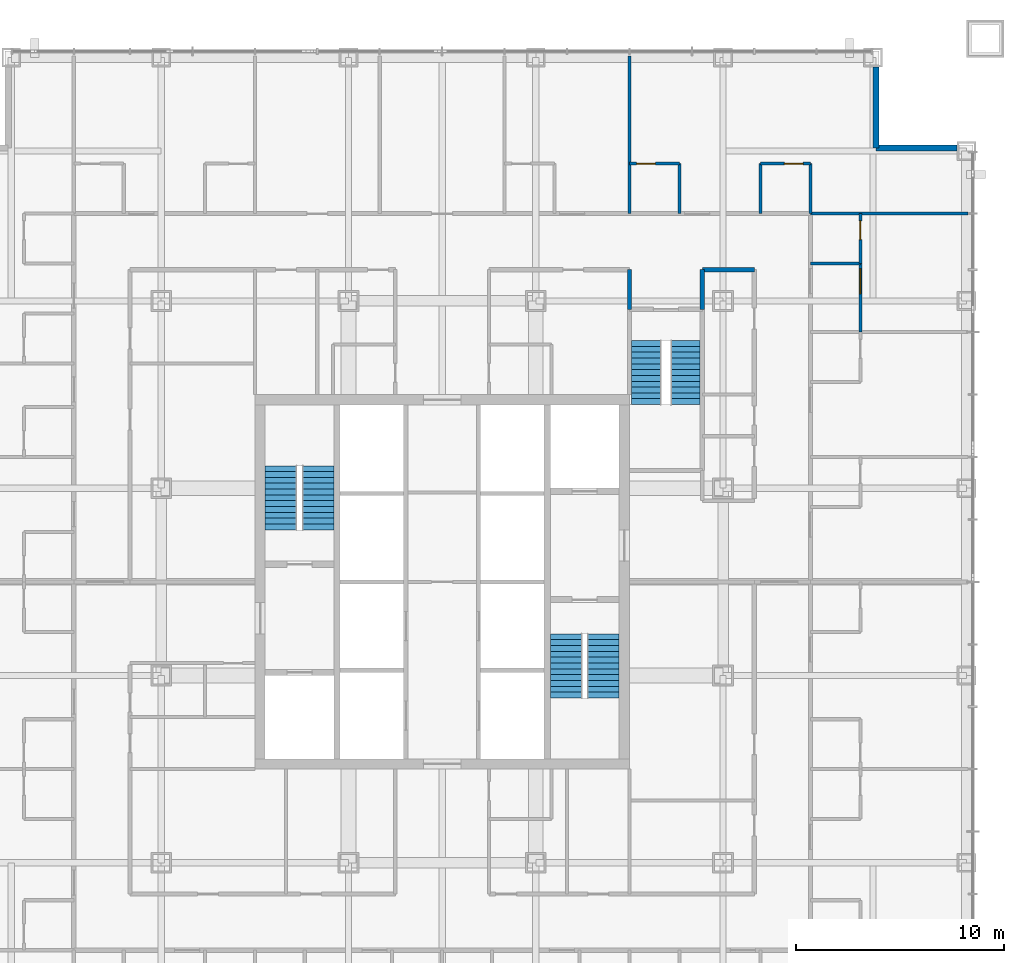
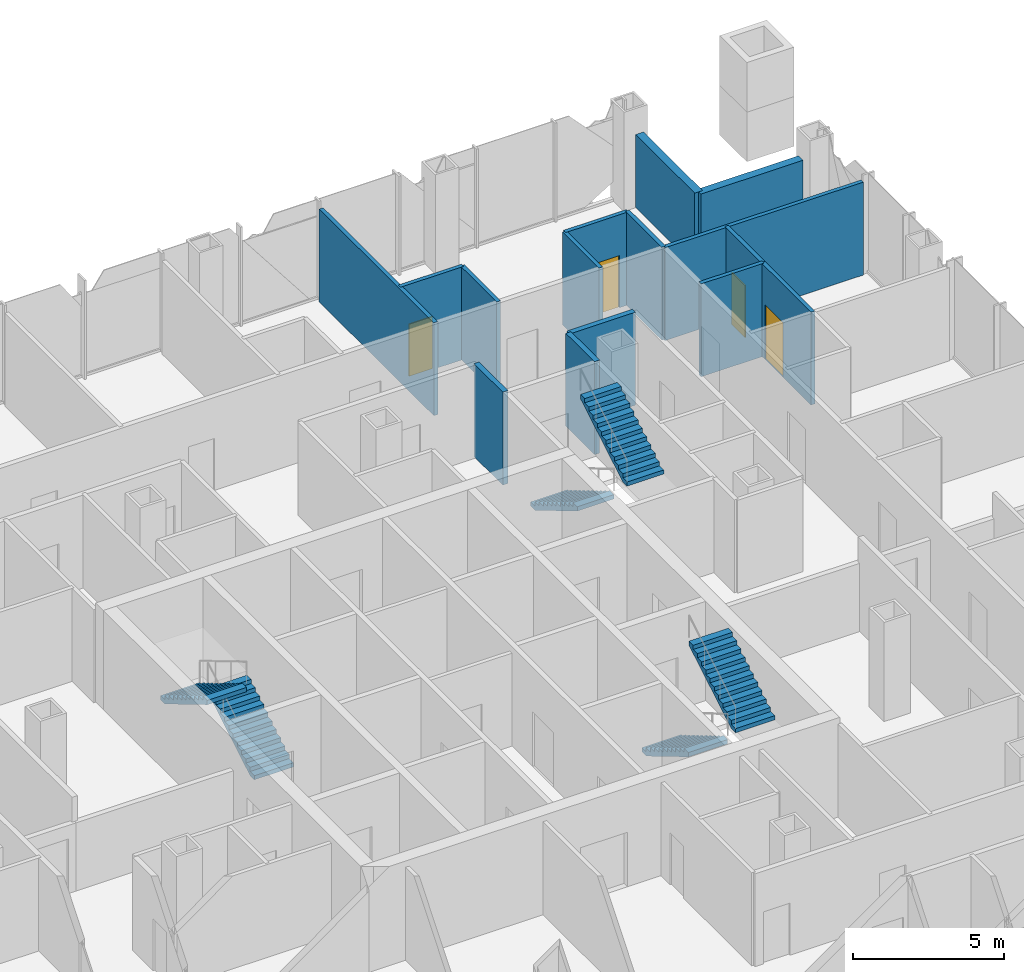
# One storey, part 12 of 23: 15 walls, 6 stair flights, 4 doors, 4 openings, 3 elements without a shape of their own.
"""IFC4 building model written with IfcOpenShell, lengths in metres."""

from ifc_helpers import new_model, si_unit, direction, frame, frame_2d, origin, place, context, subcontext, project, spatial, polyline, rectangle, outline, extrude, material, layer, layer_set, type_object, element, fill, aggregate, save


model = new_model("IFC4")

# Units and contexts
model_context = context("Model", 3, precision=1e-05, world=origin(), true_north=direction((0.0, 1.0)))
body_context = subcontext(model_context, "Body", "Model", "MODEL_VIEW")
ifc_project = project(units=[si_unit("LENGTHUNIT", "METRE"), si_unit("AREAUNIT", "SQUARE_METRE"), si_unit("VOLUMEUNIT", "CUBIC_METRE"), si_unit("PLANEANGLEUNIT", "RADIAN"), si_unit("MASSUNIT", "GRAM", prefix="KILO")], contexts=[model_context])

# Site, building, storey
site_placement = place(None, origin())
site = spatial("IfcSite", under=ifc_project, at=site_placement, CompositionType="ELEMENT")
building_placement = place(site_placement, origin())
building = spatial("IfcBuilding", under=site, at=building_placement, Name="Malebo Sky Hospital", CompositionType="ELEMENT")
storey_placement = place(building_placement, frame((0.0, 0.0, 91.0)))
storey = spatial("IfcBuildingStorey", under=building, at=storey_placement, Name="L21", CompositionType="ELEMENT", Elevation=91.0)

# Walls
ifc_material_1 = material(Name="Gypsum board on steel studs", Category="steel")
ifc_layer_1 = layer(ifc_material_1, 0.199951171875)
ifc_layer_set_1 = layer_set([ifc_layer_1], Name="CORRIDOR WALL 200")
wall_type_1 = type_object("IfcWallType", Name="CORRIDOR WALL 200", PredefinedType="PARTITIONING", material=ifc_layer_set_1)
wall_1_placement = place(storey_placement, frame((72.5, 77.0, 0.0), z_axis=(0.0, 0.0, 1.0), x_axis=(1.0, 0.0, 0.0)))
element("IfcWall", 1, at=wall_1_placement, inside=storey, type_object=wall_type_1, Name="Corridor Wall 200 NCI2/2", PredefinedType="PARTITIONING", context=body_context, shape_type="SweptSolid", body=[
    extrude(rectangle(XDim=2.5, YDim=0.199951171875, at=frame_2d((1.25, 0.0))), origin(), (0.0, 0.0, 1.0), 3.75),
])
for number, where, z_axis, x_axis, name in (
    (2, (69.0, 75.10009765625, 0.0), (0.0, 0.0, 1.0), (0.0, 1.0, 0.0), "Corridor Wall 200 ST3AW"),
    (3, (72.5, 75.10009765625, 0.0), (0.0, 0.0, 1.0), (0.0, 1.0, 0.0), "Corridor Wall 200 ST3AE"),
):
    element("IfcWall", number, at=place(storey_placement, frame(where, z_axis=z_axis, x_axis=x_axis)), inside=storey, type_object=wall_type_1, Name=name, PredefinedType="PARTITIONING", context=body_context, shape_type="SweptSolid", body=[
        extrude(rectangle(XDim=1.89990234375, YDim=0.199951171875, at=frame_2d((0.949951171875, 0.0))), origin(), (0.0, 0.0, 1.0), 3.75),
    ])
ifc_material_2 = material(Name="Anodised aluminium rainscreen on steel framing", Category="steel")
ifc_layer_2 = layer(ifc_material_2, 0.300048828125)
ifc_layer_set_2 = layer_set([ifc_layer_2], Name="NOTCH RAINSCREEN WALL 300")
wall_type_2 = type_object("IfcWallType", Name="NOTCH RAINSCREEN WALL 300", PredefinedType="ELEMENTEDWALL", material=ifc_layer_set_2)
for number, where, z_axis, x_axis, name in (
    (4, (80.85009765625, 86.75, 0.0), (0.0, 0.0, 1.0), (0.0, -1.0, 0.0), "Notch rainscreen wall N1 L21"),
    (5, (80.85009765625, 82.85009765625, 0.0), (0.0, 0.0, 1.0), (1.0, 0.0, 0.0), "Notch rainscreen wall N2 L21"),
):
    element("IfcWall", number, at=place(storey_placement, frame(where, z_axis=z_axis, x_axis=x_axis)), inside=storey, type_object=wall_type_2, Name=name, PredefinedType="ELEMENTEDWALL", context=body_context, shape_type="SweptSolid", body=[
        extrude(rectangle(XDim=3.89990234375, YDim=0.300048828125, at=frame_2d((1.949951171875, 0.0))), origin(), (0.0, 0.0, 1.0), 2.949951171875),
    ])
ifc_layer_3 = layer(ifc_material_1, 0.14990234375)
ifc_layer_set_3 = layer_set([ifc_layer_3], Name="PARTITION 150")
wall_type_3 = type_object("IfcWallType", Name="PARTITION 150", PredefinedType="PARTITIONING", material=ifc_layer_set_3)
wall_2_placement = place(storey_placement, frame((69.0, 79.699951171875, 0.0), z_axis=(0.0, 0.0, 1.0), x_axis=(0.0, 1.0, 0.0)))
element("IfcWall", 6, at=wall_2_placement, inside=storey, type_object=wall_type_3, Name="Partition 150 NP+9.0", PredefinedType="PARTITIONING", context=body_context, shape_type="SweptSolid", body=[
    extrude(rectangle(XDim=7.574951171875, YDim=0.14990234375, at=frame_2d((3.78759765625, 0.0))), origin(), (0.0, 0.0, 1.0), 3.75),
])

# Wall, opening, door
wall_3_placement = place(storey_placement, frame((69.0, 82.10009765625, 0.0), z_axis=(0.0, 0.0, 1.0), x_axis=(1.0, 0.0, 0.0)))
wall_3 = element("IfcWall", 7, at=wall_3_placement, inside=storey, type_object=wall_type_3, Name="Partition 150 NE4F", PredefinedType="PARTITIONING", context=body_context, shape_type="SweptSolid", body=[
    extrude(rectangle(XDim=2.39990234375, YDim=0.14990234375, at=frame_2d((1.199951171875, 0.0))), origin(), (0.0, 0.0, 1.0), 3.75),
])
opening_1_placement = place(wall_3_placement, frame((0.35009765625, 0.0, 0.0)))
opening_1 = element("IfcOpeningElement", 8, at=opening_1_placement, cuts=wall_3, Name="Opening D02", PredefinedType="OPENING", context=body_context, shape_type="SweptSolid", body=[
    extrude(rectangle(XDim=0.89990234375, YDim=2.10009765625, at=frame_2d((0.449951171875, 1.050048828125))), frame((0.0, 0.0849609375, 0.0), z_axis=(0.0, -1.0, 0.0), x_axis=(1.0, 0.0, 0.0)), (0.0, 0.0, 1.0), 0.169921875),
])
ifc_material_3 = material(Name="Hardwood-faced door leaf in steel frame", Category="steel")
door_type_1 = type_object("IfcDoorType", Name="EN-SUITE DOOR 900", OperationType="SINGLE_SWING_LEFT", PredefinedType="DOOR", material=ifc_material_3)
door_1_placement = place(opening_1_placement, origin())
door_1 = element("IfcDoor", 9, at=door_1_placement, inside=storey, type_object=door_type_1, Name="En-suite door", OperationType="SINGLE_SWING_LEFT", OverallHeight=2.10009765625, OverallWidth=0.89990234375, PredefinedType="DOOR", context=body_context, shape_type="SweptSolid", body=[
    extrude(rectangle(XDim=0.89990234375, YDim=2.10009765625, at=frame_2d((0.449951171875, 1.050048828125))), frame((0.0, 0.02490234375, 0.0), z_axis=(0.0, -1.0, 0.0), x_axis=(1.0, 0.0, 0.0)), (0.0, 0.0, 1.0), 0.050048828125),
])
fill(opening_1, door_1)

# Wall
wall_4_placement = place(storey_placement, frame((71.39990234375, 79.699951171875, 0.0), z_axis=(0.0, 0.0, 1.0), x_axis=(0.0, 1.0, 0.0)))
element("IfcWall", 10, at=wall_4_placement, inside=storey, type_object=wall_type_3, Name="Partition 150 NE4S", PredefinedType="PARTITIONING", context=body_context, shape_type="SweptSolid", body=[
    extrude(rectangle(XDim=2.400146484375, YDim=0.14990234375, at=frame_2d((1.2001953125, 0.0))), origin(), (0.0, 0.0, 1.0), 3.75),
])

# Wall, opening, door
wall_5_placement = place(storey_placement, frame((75.300048828125, 82.10009765625, 0.0), z_axis=(0.0, 0.0, 1.0), x_axis=(1.0, 0.0, 0.0)))
wall_5 = element("IfcWall", 11, at=wall_5_placement, inside=storey, type_object=wall_type_3, Name="Partition 150 NG4F", PredefinedType="PARTITIONING", context=body_context, shape_type="SweptSolid", body=[
    extrude(rectangle(XDim=2.39990234375, YDim=0.14990234375, at=frame_2d((1.199951171875, 0.0))), origin(), (0.0, 0.0, 1.0), 3.75),
])
opening_2_placement = place(wall_5_placement, frame((1.14990234375, 0.0, 0.0)))
opening_2 = element("IfcOpeningElement", 12, at=opening_2_placement, cuts=wall_5, Name="Opening D02", PredefinedType="OPENING", context=body_context, shape_type="SweptSolid", body=[
    extrude(rectangle(XDim=0.89990234375, YDim=2.10009765625, at=frame_2d((0.449951171875, 1.050048828125))), frame((0.0, 0.0849609375, 0.0), z_axis=(0.0, -1.0, 0.0), x_axis=(1.0, 0.0, 0.0)), (0.0, 0.0, 1.0), 0.169921875),
])
door_2_placement = place(opening_2_placement, origin())
door_2 = element("IfcDoor", 13, at=door_2_placement, inside=storey, type_object=door_type_1, Name="En-suite door", OperationType="SINGLE_SWING_RIGHT", OverallHeight=2.10009765625, OverallWidth=0.89990234375, PredefinedType="DOOR", context=body_context, shape_type="SweptSolid", body=[
    extrude(rectangle(XDim=0.89990234375, YDim=2.10009765625, at=frame_2d((0.449951171875, 1.050048828125))), frame((0.0, 0.02490234375, 0.0), z_axis=(0.0, -1.0, 0.0), x_axis=(1.0, 0.0, 0.0)), (0.0, 0.0, 1.0), 0.050048828125),
])
fill(opening_2, door_2)

# Walls
for number, where, z_axis, x_axis, name in (
    (14, (75.300048828125, 79.699951171875, 0.0), (0.0, 0.0, 1.0), (0.0, 1.0, 0.0), "Partition 150 NG4S"),
    (15, (77.699951171875, 79.699951171875, 0.0), (0.0, 0.0, 1.0), (0.0, 1.0, 0.0), "Partition 150 NEZ"),
):
    element("IfcWall", number, at=place(storey_placement, frame(where, z_axis=z_axis, x_axis=x_axis)), inside=storey, type_object=wall_type_3, Name=name, PredefinedType="PARTITIONING", context=body_context, shape_type="SweptSolid", body=[
        extrude(rectangle(XDim=2.400146484375, YDim=0.14990234375, at=frame_2d((1.2001953125, 0.0))), origin(), (0.0, 0.0, 1.0), 3.75),
    ])
wall_6_placement = place(storey_placement, frame((77.699951171875, 79.699951171875, 0.0), z_axis=(0.0, 0.0, 1.0), x_axis=(1.0, 0.0, 0.0)))
element("IfcWall", 16, at=wall_6_placement, inside=storey, type_object=wall_type_3, Name="Partition 150 EP0", PredefinedType="PARTITIONING", context=body_context, shape_type="SweptSolid", body=[
    extrude(rectangle(XDim=7.574951171875, YDim=0.14990234375, at=frame_2d((3.78759765625, 0.0))), origin(), (0.0, 0.0, 1.0), 3.75),
])

# Wall, opening, door
wall_7_placement = place(storey_placement, frame((80.10009765625, 79.699951171875, 0.0), z_axis=(0.0, 0.0, 1.0), x_axis=(0.0, -1.0, 0.0)))
wall_7 = element("IfcWall", 17, at=wall_7_placement, inside=storey, type_object=wall_type_3, Name="Partition 150 EE0F", PredefinedType="PARTITIONING", context=body_context, shape_type="SweptSolid", body=[
    extrude(rectangle(XDim=2.39990234375, YDim=0.14990234375, at=frame_2d((1.199951171875, 0.0))), origin(), (0.0, 0.0, 1.0), 3.75),
])
opening_3_placement = place(wall_7_placement, frame((0.35009765625, 0.0, 0.0)))
opening_3 = element("IfcOpeningElement", 18, at=opening_3_placement, cuts=wall_7, Name="Opening D02", PredefinedType="OPENING", context=body_context, shape_type="SweptSolid", body=[
    extrude(rectangle(XDim=0.89990234375, YDim=2.10009765625, at=frame_2d((0.449951171875, 1.050048828125))), frame((0.0, 0.0849609375, 0.0), z_axis=(0.0, -1.0, 0.0), x_axis=(1.0, 0.0, 0.0)), (0.0, 0.0, 1.0), 0.169921875),
])
door_3_placement = place(opening_3_placement, origin())
door_3 = element("IfcDoor", 19, at=door_3_placement, inside=storey, type_object=door_type_1, Name="En-suite door", OperationType="SINGLE_SWING_LEFT", OverallHeight=2.10009765625, OverallWidth=0.89990234375, PredefinedType="DOOR", context=body_context, shape_type="SweptSolid", body=[
    extrude(rectangle(XDim=0.89990234375, YDim=2.10009765625, at=frame_2d((0.449951171875, 1.050048828125))), frame((0.0, 0.02490234375, 0.0), z_axis=(0.0, -1.0, 0.0), x_axis=(1.0, 0.0, 0.0)), (0.0, 0.0, 1.0), 0.050048828125),
])
fill(opening_3, door_3)

# Wall
wall_8_placement = place(storey_placement, frame((77.699951171875, 77.300048828125, 0.0), z_axis=(0.0, 0.0, 1.0), x_axis=(1.0, 0.0, 0.0)))
element("IfcWall", 20, at=wall_8_placement, inside=storey, type_object=wall_type_3, Name="Partition 150 EE0S", PredefinedType="PARTITIONING", context=body_context, shape_type="SweptSolid", body=[
    extrude(rectangle(XDim=2.400146484375, YDim=0.14990234375, at=frame_2d((1.2001953125, 0.0))), origin(), (0.0, 0.0, 1.0), 3.75),
])

# Wall, opening, door
ifc_material_4 = material(Name="Sealed gypsum board on steel studs, taped to the slab", Category="steel")
ifc_layer_4 = layer(ifc_material_4, 0.14990234375)
ifc_layer_set_4 = layer_set([ifc_layer_4], Name="SEALED ISOLATION PARTITION 150")
wall_type_4 = type_object("IfcWallType", Name="SEALED ISOLATION PARTITION 150", PredefinedType="PARTITIONING", material=ifc_layer_set_4)
wall_9_placement = place(storey_placement, frame((80.10009765625, 77.300048828125, 0.0), z_axis=(0.0, 0.0, 1.0), x_axis=(0.0, -1.0, 0.0)))
wall_9 = element("IfcWall", 21, at=wall_9_placement, inside=storey, type_object=wall_type_4, Name="Sealed Isolation Partition 150 EA0F", PredefinedType="PARTITIONING", context=body_context, shape_type="SweptSolid", body=[
    extrude(rectangle(XDim=3.300048828125, YDim=0.14990234375, at=frame_2d((1.64990234375, 0.0))), origin(), (0.0, 0.0, 1.0), 3.75),
])
opening_4_placement = place(wall_9_placement, frame((0.25, 0.0, 0.0)))
opening_4 = element("IfcOpeningElement", 22, at=opening_4_placement, cuts=wall_9, Name="Opening D19", PredefinedType="OPENING", context=body_context, shape_type="SweptSolid", body=[
    extrude(rectangle(XDim=1.199951171875, YDim=2.199951171875, at=frame_2d((0.60009765625, 1.10009765625))), frame((0.0, 0.0849609375, 0.0), z_axis=(0.0, -1.0, 0.0), x_axis=(1.0, 0.0, 0.0)), (0.0, 0.0, 1.0), 0.169921875),
])
ifc_material_5 = material(Name="Hardwood-faced door leaf with perimeter seals in steel frame", Category="steel")
door_type_2 = type_object("IfcDoorType", Name="SEALED ISOLATION ROOM DOOR 1200", OperationType="SINGLE_SWING_LEFT", PredefinedType="DOOR", material=ifc_material_5)
door_4_placement = place(opening_4_placement, origin())
door_4 = element("IfcDoor", 23, at=door_4_placement, inside=storey, type_object=door_type_2, Name="Isolation room door", OperationType="SINGLE_SWING_LEFT", OverallHeight=2.199951171875, OverallWidth=1.199951171875, PredefinedType="DOOR", context=body_context, shape_type="SweptSolid", body=[
    extrude(rectangle(XDim=1.199951171875, YDim=2.199951171875, at=frame_2d((0.60009765625, 1.10009765625))), frame((0.0, 0.02490234375, 0.0), z_axis=(0.0, -1.0, 0.0), x_axis=(1.0, 0.0, 0.0)), (0.0, 0.0, 1.0), 0.050048828125),
])
fill(opening_4, door_4)

# Stair, stair flights
ifc_material_6 = material(Name="Concrete C40/50", Category="concrete")
stair_type_1 = type_object("IfcStairType", Name="HALF-TURN STAIR 1400 R167", PredefinedType="HALF_TURN_STAIR", material=ifc_material_6)
stair_1_placement = place(storey_placement, origin())
stair_1 = element("IfcStair", 24, at=stair_1_placement, inside=storey, type_object=stair_type_1, Name="Stair S3 L21 type ST1B", PredefinedType="HALF_TURN_STAIR")
stair_flight_type_1 = type_object("IfcStairFlightType", Name="STAIR FLIGHT 1400 R167", PredefinedType="STRAIGHT", material=ifc_material_6)
stair_flight_1_placement = place(storey_placement, frame((69.800048828125, 73.60009765625, 0.0), z_axis=(0.0, 0.0, 1.0), x_axis=(0.0, -1.0, 0.0)))
stair_flight_1 = element("IfcStairFlight", 25, at=stair_flight_1_placement, type_object=stair_flight_type_1, Name="S3 flight 1 type SF1B", NumberOfRisers=12, NumberOfTreads=11, PredefinedType="STRAIGHT", RiserHeight=0.166666667, TreadLength=0.28, context=body_context, shape_type="SweptSolid", body=[
    extrude(outline(polyline([(0.0, 0.0), (0.0, 0.166748046875), (0.280029296875, 0.166748046875), (0.280029296875, 0.333251953125), (0.56005859375, 0.333251953125), (0.56005859375, 0.5), (0.840087890625, 0.5), (0.840087890625, 0.666748046875), (1.1201171875, 0.666748046875), (1.1201171875, 0.833251953125), (1.39990234375, 0.833251953125), (1.39990234375, 1.0), (1.679931640625, 1.0), (1.679931640625, 1.166748046875), (1.9599609375, 1.166748046875), (1.9599609375, 1.333251953125), (2.239990234375, 1.333251953125), (2.239990234375, 1.5), (2.52001953125, 1.5), (2.52001953125, 1.666748046875), (2.800048828125, 1.666748046875), (2.800048828125, 1.833251953125), (3.080078125, 1.833251953125), (3.080078125, 2.0), (3.080078125, 1.658935546875), (0.29296875, 0.0), (0.0, 0.0)])), frame((0.0, 0.699951171875, 0.0), z_axis=(0.0, -1.0, 0.0), x_axis=(1.0, 0.0, 0.0)), (0.0, 0.0, 1.0), 1.39990234375),
])
stair_flight_2_placement = place(storey_placement, frame((71.699951171875, 70.52001953125, 2.0), z_axis=(0.0, 0.0, 1.0), x_axis=(0.0, 1.0, 0.0)))
stair_flight_2 = element("IfcStairFlight", 26, at=stair_flight_2_placement, type_object=stair_flight_type_1, Name="S3 flight 2 type SF1B", NumberOfRisers=12, NumberOfTreads=11, PredefinedType="STRAIGHT", RiserHeight=0.166666667, TreadLength=0.28, context=body_context, shape_type="SweptSolid", body=[
    extrude(outline(polyline([(0.0, 0.0), (0.0, 0.166748046875), (0.280029296875, 0.166748046875), (0.280029296875, 0.333251953125), (0.56005859375, 0.333251953125), (0.56005859375, 0.5), (0.840087890625, 0.5), (0.840087890625, 0.666748046875), (1.1201171875, 0.666748046875), (1.1201171875, 0.833251953125), (1.39990234375, 0.833251953125), (1.39990234375, 1.0), (1.679931640625, 1.0), (1.679931640625, 1.166748046875), (1.9599609375, 1.166748046875), (1.9599609375, 1.333251953125), (2.239990234375, 1.333251953125), (2.239990234375, 1.5), (2.52001953125, 1.5), (2.52001953125, 1.666748046875), (2.800048828125, 1.666748046875), (2.800048828125, 1.833251953125), (3.080078125, 1.833251953125), (3.080078125, 2.0), (3.080078125, 1.658935546875), (0.29296875, 0.0), (0.0, 0.0)])), frame((0.0, 0.699951171875, 0.0), z_axis=(0.0, -1.0, 0.0), x_axis=(1.0, 0.0, 0.0)), (0.0, 0.0, 1.0), 1.39990234375),
])
aggregate(stair_1, [stair_flight_1, stair_flight_2])

stair_type_2 = type_object("IfcStairType", Name="HALF-TURN STAIR 1500 R167", PredefinedType="HALF_TURN_STAIR", material=ifc_material_6)
stair_2_placement = place(storey_placement, origin())
stair_2 = element("IfcStair", 27, at=stair_2_placement, inside=storey, type_object=stair_type_2, Name="Stair S1 L21 type ST1", PredefinedType="HALF_TURN_STAIR")
stair_flight_type_2 = type_object("IfcStairFlightType", Name="STAIR FLIGHT 1500 R167", PredefinedType="STRAIGHT", material=ifc_material_6)
stair_flight_3_placement = place(storey_placement, frame((54.050048828125, 64.5, 0.0), z_axis=(0.0, 0.0, 1.0), x_axis=(0.0, 1.0, 0.0)))
stair_flight_3 = element("IfcStairFlight", 28, at=stair_flight_3_placement, type_object=stair_flight_type_2, Name="S1 flight 1 type SF1", NumberOfRisers=12, NumberOfTreads=11, PredefinedType="STRAIGHT", RiserHeight=0.166666667, TreadLength=0.28, context=body_context, shape_type="SweptSolid", body=[
    extrude(outline(polyline([(0.0, 0.0), (0.0, 0.166748046875), (0.280029296875, 0.166748046875), (0.280029296875, 0.333251953125), (0.56005859375, 0.333251953125), (0.56005859375, 0.5), (0.840087890625, 0.5), (0.840087890625, 0.666748046875), (1.1201171875, 0.666748046875), (1.1201171875, 0.833251953125), (1.39990234375, 0.833251953125), (1.39990234375, 1.0), (1.679931640625, 1.0), (1.679931640625, 1.166748046875), (1.9599609375, 1.166748046875), (1.9599609375, 1.333251953125), (2.239990234375, 1.333251953125), (2.239990234375, 1.5), (2.52001953125, 1.5), (2.52001953125, 1.666748046875), (2.800048828125, 1.666748046875), (2.800048828125, 1.833251953125), (3.080078125, 1.833251953125), (3.080078125, 2.0), (3.080078125, 1.658935546875), (0.29296875, 0.0), (0.0, 0.0)])), frame((0.0, 0.75, 0.0), z_axis=(0.0, -1.0, 0.0), x_axis=(1.0, 0.0, 0.0)), (0.0, 0.0, 1.0), 1.5),
])
stair_flight_4_placement = place(storey_placement, frame((52.25, 67.580078125, 2.0), z_axis=(0.0, 0.0, 1.0), x_axis=(0.0, -1.0, 0.0)))
stair_flight_4 = element("IfcStairFlight", 29, at=stair_flight_4_placement, type_object=stair_flight_type_2, Name="S1 flight 2 type SF1", NumberOfRisers=12, NumberOfTreads=11, PredefinedType="STRAIGHT", RiserHeight=0.166666667, TreadLength=0.28, context=body_context, shape_type="SweptSolid", body=[
    extrude(outline(polyline([(0.0, 0.0), (0.0, 0.166748046875), (0.280029296875, 0.166748046875), (0.280029296875, 0.333251953125), (0.56005859375, 0.333251953125), (0.56005859375, 0.5), (0.840087890625, 0.5), (0.840087890625, 0.666748046875), (1.1201171875, 0.666748046875), (1.1201171875, 0.833251953125), (1.39990234375, 0.833251953125), (1.39990234375, 1.0), (1.679931640625, 1.0), (1.679931640625, 1.166748046875), (1.9599609375, 1.166748046875), (1.9599609375, 1.333251953125), (2.239990234375, 1.333251953125), (2.239990234375, 1.5), (2.52001953125, 1.5), (2.52001953125, 1.666748046875), (2.800048828125, 1.666748046875), (2.800048828125, 1.833251953125), (3.080078125, 1.833251953125), (3.080078125, 2.0), (3.080078125, 1.658935546875), (0.29296875, 0.0), (0.0, 0.0)])), frame((0.0, 0.75, 0.0), z_axis=(0.0, -1.0, 0.0), x_axis=(1.0, 0.0, 0.0)), (0.0, 0.0, 1.0), 1.5),
])
aggregate(stair_2, [stair_flight_3, stair_flight_4])

stair_3_placement = place(storey_placement, origin())
stair_3 = element("IfcStair", 30, at=stair_3_placement, inside=storey, type_object=stair_type_2, Name="Stair S2 L21 type ST1", PredefinedType="HALF_TURN_STAIR")
stair_flight_5_placement = place(storey_placement, frame((65.949951171875, 59.5, 0.0), z_axis=(0.0, 0.0, 1.0), x_axis=(0.0, -1.0, 0.0)))
stair_flight_5 = element("IfcStairFlight", 31, at=stair_flight_5_placement, type_object=stair_flight_type_2, Name="S2 flight 1 type SF1", NumberOfRisers=12, NumberOfTreads=11, PredefinedType="STRAIGHT", RiserHeight=0.166666667, TreadLength=0.28, context=body_context, shape_type="SweptSolid", body=[
    extrude(outline(polyline([(0.0, 0.0), (0.0, 0.166748046875), (0.280029296875, 0.166748046875), (0.280029296875, 0.333251953125), (0.56005859375, 0.333251953125), (0.56005859375, 0.5), (0.840087890625, 0.5), (0.840087890625, 0.666748046875), (1.1201171875, 0.666748046875), (1.1201171875, 0.833251953125), (1.39990234375, 0.833251953125), (1.39990234375, 1.0), (1.679931640625, 1.0), (1.679931640625, 1.166748046875), (1.9599609375, 1.166748046875), (1.9599609375, 1.333251953125), (2.239990234375, 1.333251953125), (2.239990234375, 1.5), (2.52001953125, 1.5), (2.52001953125, 1.666748046875), (2.800048828125, 1.666748046875), (2.800048828125, 1.833251953125), (3.080078125, 1.833251953125), (3.080078125, 2.0), (3.080078125, 1.658935546875), (0.29296875, 0.0), (0.0, 0.0)])), frame((0.0, 0.75, 0.0), z_axis=(0.0, -1.0, 0.0), x_axis=(1.0, 0.0, 0.0)), (0.0, 0.0, 1.0), 1.5),
])
stair_flight_6_placement = place(storey_placement, frame((67.75, 56.419921875, 2.0), z_axis=(0.0, 0.0, 1.0), x_axis=(0.0, 1.0, 0.0)))
stair_flight_6 = element("IfcStairFlight", 32, at=stair_flight_6_placement, type_object=stair_flight_type_2, Name="S2 flight 2 type SF1", NumberOfRisers=12, NumberOfTreads=11, PredefinedType="STRAIGHT", RiserHeight=0.166666667, TreadLength=0.28, context=body_context, shape_type="SweptSolid", body=[
    extrude(outline(polyline([(0.0, 0.0), (0.0, 0.166748046875), (0.280029296875, 0.166748046875), (0.280029296875, 0.333251953125), (0.56005859375, 0.333251953125), (0.56005859375, 0.5), (0.840087890625, 0.5), (0.840087890625, 0.666748046875), (1.1201171875, 0.666748046875), (1.1201171875, 0.833251953125), (1.39990234375, 0.833251953125), (1.39990234375, 1.0), (1.679931640625, 1.0), (1.679931640625, 1.166748046875), (1.9599609375, 1.166748046875), (1.9599609375, 1.333251953125), (2.239990234375, 1.333251953125), (2.239990234375, 1.5), (2.52001953125, 1.5), (2.52001953125, 1.666748046875), (2.800048828125, 1.666748046875), (2.800048828125, 1.833251953125), (3.080078125, 1.833251953125), (3.080078125, 2.0), (3.080078125, 1.658935546875), (0.29296875, 0.0), (0.0, 0.0)])), frame((0.0, 0.75, 0.0), z_axis=(0.0, -1.0, 0.0), x_axis=(1.0, 0.0, 0.0)), (0.0, 0.0, 1.0), 1.5),
])
aggregate(stair_3, [stair_flight_5, stair_flight_6])

save(model, "model.ifc")
